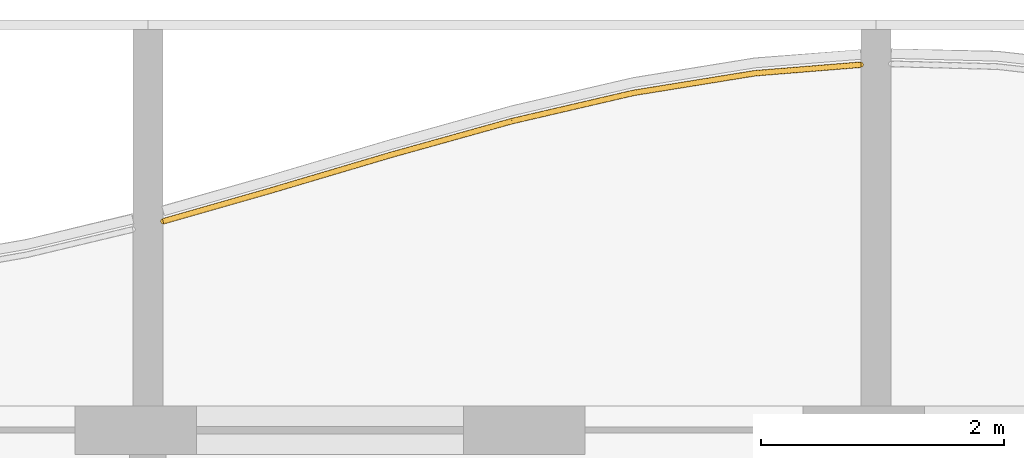
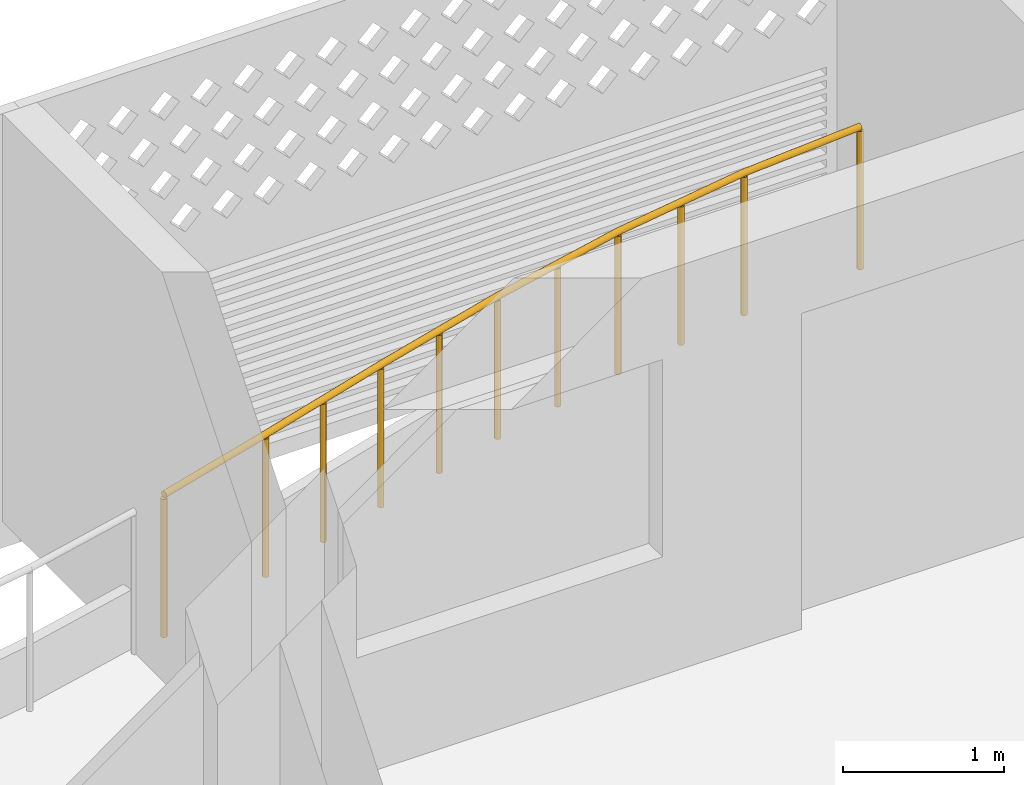
# One storey, part 21 of 32: 1 railing.
"""IFC4 building model written with IfcOpenShell, lengths in metres."""

from ifc_helpers import new_model, si_unit, direction, frame, origin, origin_2d, place, context, subcontext, project, spatial, circle, extrude, material, type_object, element, save


model = new_model("IFC4")

# Units and contexts
model_context = context("Model", 3, precision=1e-05, world=origin(), true_north=direction((0.0, 1.0)))
body_context = subcontext(model_context, "Body", "Model", "MODEL_VIEW")
ifc_project = project(units=[si_unit("LENGTHUNIT", "METRE"), si_unit("AREAUNIT", "SQUARE_METRE"), si_unit("VOLUMEUNIT", "CUBIC_METRE"), si_unit("PLANEANGLEUNIT", "RADIAN"), si_unit("MASSUNIT", "GRAM", prefix="KILO")], contexts=[model_context])

# Site, building, storey
site_placement = place(None, origin())
site = spatial("IfcSite", under=ifc_project, at=site_placement, CompositionType="ELEMENT")
building_placement = place(site_placement, origin())
building = spatial("IfcBuilding", under=site, at=building_placement, Name="Poui Terraces", CompositionType="ELEMENT")
storey_placement = place(building_placement, frame((0.0, 0.0, 129.0)))
storey = spatial("IfcBuildingStorey", under=building, at=storey_placement, Name="L35", CompositionType="ELEMENT", Elevation=129.0)

# Railing
ifc_material = material(Name="Painted steel fretwork", Category="steel")
railing_type = type_object("IfcRailingType", Name="BALCONY GUARD 1100", PredefinedType="GUARDRAIL", material=ifc_material)
railing_placement = place(storey_placement, frame((30.125, 44.12109375, 0.0)))
element("IfcRailing", 1, at=railing_placement, inside=storey, type_object=railing_type, Name="BALCONY GUARD", PredefinedType="GUARDRAIL", context=body_context, shape_type="SweptSolid", body=[
    extrude(circle(Radius=0.02392578125, at=origin_2d()), frame((0.0, 0.0, 1.076171875), z_axis=(0.961523947641, 0.274721127897, 0.0), x_axis=(-0.274721127897, 0.961523947641, 0.0)), (0.0, 0.0, 1.0), 0.909912109375),
    extrude(circle(Radius=0.02392578125, at=origin_2d()), frame((0.875, 0.25, 1.076171875), z_axis=(0.958710700624, 0.284383179018, 0.0), x_axis=(-0.284383179018, 0.958710700624, 0.0)), (0.0, 0.0, 1.0), 1.04296875),
    extrude(circle(Radius=0.02392578125, at=origin_2d()), frame((1.875, 0.546630859375, 1.076171875), z_axis=(0.963200548895, 0.268783746921, 0.0), x_axis=(-0.268783746921, 0.963200548895, 0.0)), (0.0, 0.0, 1.0), 1.0380859375),
    extrude(circle(Radius=0.02392578125, at=origin_2d()), frame((2.875, 0.82568359375, 1.076171875), z_axis=(0.974037301865, 0.226387576019, 0.0), x_axis=(-0.226387576019, 0.974037301865, 0.0)), (0.0, 0.0, 1.0), 1.026611328125),
    extrude(circle(Radius=0.02392578125, at=origin_2d()), frame((3.875, 1.05810546875, 1.076171875), z_axis=(0.987151750337, 0.159785549432, 0.0), x_axis=(-0.159785549432, 0.987151750337, 0.0)), (0.0, 0.0, 1.0), 1.012939453125),
    extrude(circle(Radius=0.02392578125, at=origin_2d()), frame((4.875, 1.219970703125, 1.076171875), z_axis=(0.996764673802, 0.080375276431, 0.0), x_axis=(-0.080375276431, 0.996764673802, 0.0)), (0.0, 0.0, 1.0), 0.8779296875),
    extrude(circle(Radius=0.02099609375, at=origin_2d()), origin(), (0.0, 0.0, 1.0), 1.052001953125),
    extrude(circle(Radius=0.02099609375, at=origin_2d()), frame((0.875, 0.25, 0.0)), (0.0, 0.0, 1.0), 1.052001953125),
    extrude(circle(Radius=0.02099609375, at=origin_2d()), frame((1.375, 0.3984375, 0.0)), (0.0, 0.0, 1.0), 1.052001953125),
    extrude(circle(Radius=0.02099609375, at=origin_2d()), frame((1.875, 0.546630859375, 0.0)), (0.0, 0.0, 1.0), 1.052001953125),
    extrude(circle(Radius=0.02099609375, at=origin_2d()), frame((2.375, 0.68603515625, 0.0)), (0.0, 0.0, 1.0), 1.052001953125),
    extrude(circle(Radius=0.02099609375, at=origin_2d()), frame((2.875, 0.82568359375, 0.0)), (0.0, 0.0, 1.0), 1.052001953125),
    extrude(circle(Radius=0.02099609375, at=origin_2d()), frame((3.375, 0.94189453125, 0.0)), (0.0, 0.0, 1.0), 1.052001953125),
    extrude(circle(Radius=0.02099609375, at=origin_2d()), frame((3.875, 1.05810546875, 0.0)), (0.0, 0.0, 1.0), 1.052001953125),
    extrude(circle(Radius=0.02099609375, at=origin_2d()), frame((4.375, 1.13916015625, 0.0)), (0.0, 0.0, 1.0), 1.052001953125),
    extrude(circle(Radius=0.02099609375, at=origin_2d()), frame((4.875, 1.219970703125, 0.0)), (0.0, 0.0, 1.0), 1.052001953125),
    extrude(circle(Radius=0.02099609375, at=origin_2d()), frame((5.75, 1.29052734375, 0.0)), (0.0, 0.0, 1.0), 1.052001953125),
])

save(model, "model.ifc")
